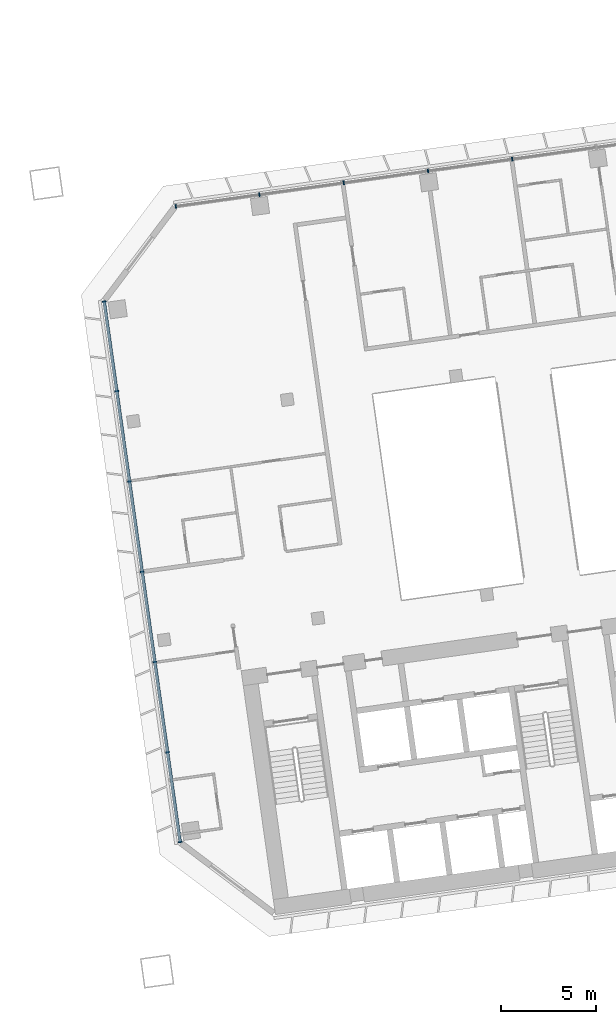
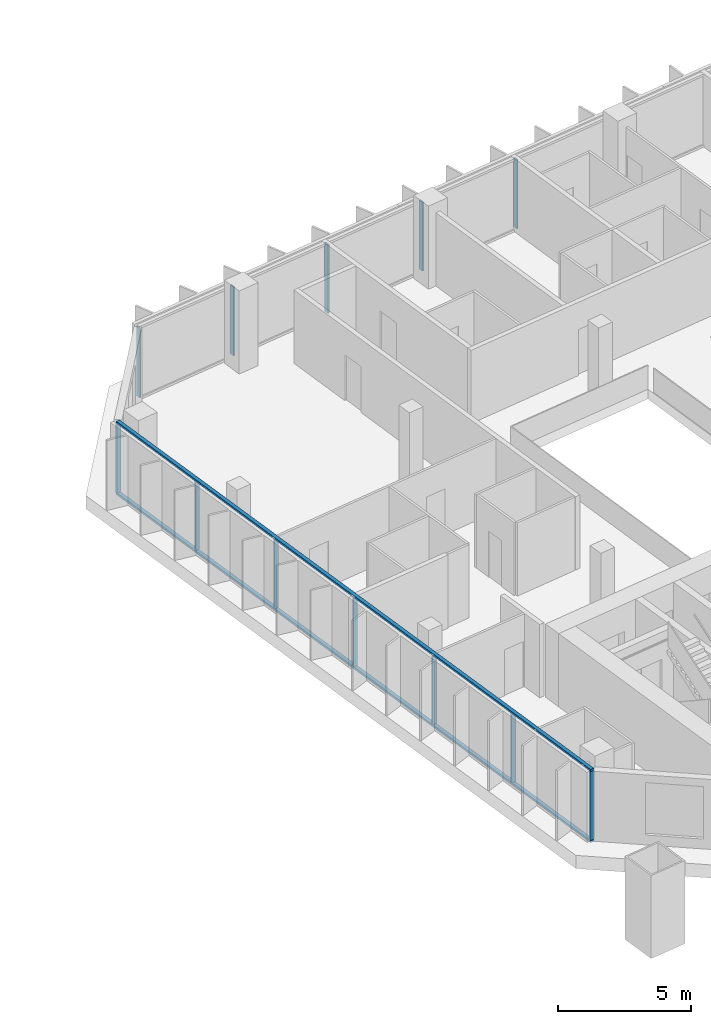
# One storey, part 7 of 26: 14 members, 2 elements without a shape of their own.
"""IFC4 building model written with IfcOpenShell, lengths in metres."""

from ifc_helpers import new_model, si_unit, direction, frame, origin, origin_2d, place, context, subcontext, project, spatial, rectangle, extrude, material, material_profile, profile_set, type_object, element, aggregate, save


model = new_model("IFC4")

# Units and contexts
model_context = context("Model", 3, precision=1e-05, world=origin(), true_north=direction((0.0, 1.0)))
body_context = subcontext(model_context, "Body", "Model", "MODEL_VIEW")
ifc_project = project(units=[si_unit("LENGTHUNIT", "METRE"), si_unit("AREAUNIT", "SQUARE_METRE"), si_unit("VOLUMEUNIT", "CUBIC_METRE"), si_unit("PLANEANGLEUNIT", "RADIAN"), si_unit("MASSUNIT", "GRAM", prefix="KILO")], contexts=[model_context])

# Site, building, storey
site_placement = place(None, origin())
site = spatial("IfcSite", under=ifc_project, at=site_placement, CompositionType="ELEMENT")
building_placement = place(site_placement, origin())
building = spatial("IfcBuilding", under=site, at=building_placement, Name="Mirante Cascada Hotel Towers", CompositionType="ELEMENT")
storey_placement = place(building_placement, frame((0.0, 0.0, 140.5)))
storey = spatial("IfcBuildingStorey", under=building, at=storey_placement, Name="L32", CompositionType="ELEMENT", Elevation=140.5)

# Curtain wall, members
ifc_material_1 = material(Name="Aluminium mullion and transom frame with clear laminated glass", Category="aluminium")
curtain_wall_type_1 = type_object("IfcCurtainWallType", Name="Ribbon curtain wall ECW1", PredefinedType="NOTDEFINED", material=ifc_material_1)
curtain_wall_1_placement = place(storey_placement, origin())
curtain_wall_1 = element("IfcCurtainWall", 1, at=curtain_wall_1_placement, inside=storey, type_object=curtain_wall_type_1, Name="Front ribbon wall T2 L32", PredefinedType="NOTDEFINED")
ifc_material_2 = material(Name="Anodised aluminium extrusion", Category="aluminium")
ifc_material_profile_1 = material_profile(ifc_material_2, rectangle(XDim=0.2, YDim=0.065, at=origin_2d()), Name="ECW1 MULLION 65x200")
ifc_profile_set_1 = profile_set([ifc_material_profile_1], Name="Anodised aluminium extrusion")
member_type_1 = type_object("IfcMemberType", Name="ECW1 mullion 65x200", PredefinedType="MULLION", material=ifc_profile_set_1)
member_1_placement = place(storey_placement, frame((49.684, 19.8017, 0.1), z_axis=(0.0, 0.0, 1.0), x_axis=(0.1391731, -0.9902681, 0.0)))
member_1 = element("IfcMember", 2, at=member_1_placement, type_object=member_type_1, Name="ECW1 mullion 11", PredefinedType="MULLION", context=body_context, shape_type="SweptSolid", body=[
    extrude(rectangle(XDim=0.2, YDim=0.065, at=origin_2d()), origin(), (0.0, 0.0, 1.0), 3.15),
])
member_2_placement = place(storey_placement, frame((45.2366, 19.1766, 0.1), z_axis=(0.0, 0.0, 1.0), x_axis=(0.1391731, -0.9902681, 0.0)))
member_2 = element("IfcMember", 3, at=member_2_placement, type_object=member_type_1, Name="ECW1 mullion 12", PredefinedType="MULLION", context=body_context, shape_type="SweptSolid", body=[
    extrude(rectangle(XDim=0.2, YDim=0.065, at=origin_2d()), origin(), (0.0, 0.0, 1.0), 3.15),
])
member_3_placement = place(storey_placement, frame((40.7892, 18.5516, 0.1), z_axis=(0.0, 0.0, 1.0), x_axis=(0.1391731, -0.9902681, 0.0)))
member_3 = element("IfcMember", 4, at=member_3_placement, type_object=member_type_1, Name="ECW1 mullion 13", PredefinedType="MULLION", context=body_context, shape_type="SweptSolid", body=[
    extrude(rectangle(XDim=0.2, YDim=0.065, at=origin_2d()), origin(), (0.0, 0.0, 1.0), 3.15),
])
member_4_placement = place(storey_placement, frame((36.3417, 17.9265, 0.1), z_axis=(0.0, 0.0, 1.0), x_axis=(0.1391731, -0.9902681, 0.0)))
member_4 = element("IfcMember", 5, at=member_4_placement, type_object=member_type_1, Name="ECW1 mullion 14", PredefinedType="MULLION", context=body_context, shape_type="SweptSolid", body=[
    extrude(rectangle(XDim=0.2, YDim=0.065, at=origin_2d()), origin(), (0.0, 0.0, 1.0), 3.15),
])
member_5_placement = place(storey_placement, frame((31.9265, 17.306, 0.1), z_axis=(0.0, 0.0, 1.0), x_axis=(0.1391731, -0.9902681, 0.0)))
member_5 = element("IfcMember", 6, at=member_5_placement, type_object=member_type_1, Name="ECW1 mullion 15", PredefinedType="MULLION", context=body_context, shape_type="SweptSolid", body=[
    extrude(rectangle(XDim=0.2, YDim=0.065, at=origin_2d()), origin(), (0.0, 0.0, 1.0), 3.15),
])
aggregate(curtain_wall_1, [member_1, member_2, member_3, member_4, member_5])

ifc_material_3 = material(Name="Aluminium mullion and transom frame with clear laminated glass", Category="aluminium")
curtain_wall_type_2 = type_object("IfcCurtainWallType", Name="End ribbon curtain wall ECW2", PredefinedType="NOTDEFINED", material=ifc_material_3)
curtain_wall_2_placement = place(storey_placement, origin())
curtain_wall_2 = element("IfcCurtainWall", 7, at=curtain_wall_2_placement, inside=storey, type_object=curtain_wall_type_2, Name="Inner end wall T2 L32", PredefinedType="NOTDEFINED")
ifc_material_4 = material(Name="Anodised aluminium extrusion", Category="aluminium")
ifc_material_profile_2 = material_profile(ifc_material_4, rectangle(XDim=0.2, YDim=0.065, at=origin_2d()), Name="ECW2 MULLION 65x200")
ifc_profile_set_2 = profile_set([ifc_material_profile_2], Name="Anodised aluminium extrusion")
member_type_2 = type_object("IfcMemberType", Name="ECW2 mullion 65x200", PredefinedType="MULLION", material=ifc_profile_set_2)
member_6_placement = place(storey_placement, frame((28.1437, 12.2861, 0.1), z_axis=(0.0, 0.0, 1.0), x_axis=(0.9902681, 0.1391731, 0.0)))
member_6 = element("IfcMember", 8, at=member_6_placement, type_object=member_type_2, Name="ECW2 mullion 1", PredefinedType="MULLION", context=body_context, shape_type="SweptSolid", body=[
    extrude(rectangle(XDim=0.2, YDim=0.065, at=origin_2d()), origin(), (0.0, 0.0, 1.0), 3.15),
])
member_7_placement = place(storey_placement, frame((28.809, 7.5524, 0.1), z_axis=(0.0, 0.0, 1.0), x_axis=(0.9902681, 0.1391731, 0.0)))
member_7 = element("IfcMember", 9, at=member_7_placement, type_object=member_type_2, Name="ECW2 mullion 2", PredefinedType="MULLION", context=body_context, shape_type="SweptSolid", body=[
    extrude(rectangle(XDim=0.2, YDim=0.065, at=origin_2d()), origin(), (0.0, 0.0, 1.0), 3.15),
])
member_8_placement = place(storey_placement, frame((29.4788, 2.7867, 0.1), z_axis=(0.0, 0.0, 1.0), x_axis=(0.9902681, 0.1391731, 0.0)))
member_8 = element("IfcMember", 10, at=member_8_placement, type_object=member_type_2, Name="ECW2 mullion 3", PredefinedType="MULLION", context=body_context, shape_type="SweptSolid", body=[
    extrude(rectangle(XDim=0.2, YDim=0.065, at=origin_2d()), origin(), (0.0, 0.0, 1.0), 3.15),
])
member_9_placement = place(storey_placement, frame((30.1485, -1.9791, 0.1), z_axis=(0.0, 0.0, 1.0), x_axis=(0.9902681, 0.1391731, 0.0)))
member_9 = element("IfcMember", 11, at=member_9_placement, type_object=member_type_2, Name="ECW2 mullion 4", PredefinedType="MULLION", context=body_context, shape_type="SweptSolid", body=[
    extrude(rectangle(XDim=0.2, YDim=0.065, at=origin_2d()), origin(), (0.0, 0.0, 1.0), 3.15),
])
member_10_placement = place(storey_placement, frame((30.8183, -6.7449, 0.1), z_axis=(0.0, 0.0, 1.0), x_axis=(0.9902681, 0.1391731, 0.0)))
member_10 = element("IfcMember", 12, at=member_10_placement, type_object=member_type_2, Name="ECW2 mullion 5", PredefinedType="MULLION", context=body_context, shape_type="SweptSolid", body=[
    extrude(rectangle(XDim=0.2, YDim=0.065, at=origin_2d()), origin(), (0.0, 0.0, 1.0), 3.15),
])
member_11_placement = place(storey_placement, frame((31.4881, -11.5107, 0.1), z_axis=(0.0, 0.0, 1.0), x_axis=(0.9902681, 0.1391731, 0.0)))
member_11 = element("IfcMember", 13, at=member_11_placement, type_object=member_type_2, Name="ECW2 mullion 6", PredefinedType="MULLION", context=body_context, shape_type="SweptSolid", body=[
    extrude(rectangle(XDim=0.2, YDim=0.065, at=origin_2d()), origin(), (0.0, 0.0, 1.0), 3.15),
])
member_12_placement = place(storey_placement, frame((32.1534, -16.2443, 0.1), z_axis=(0.0, 0.0, 1.0), x_axis=(0.9902681, 0.1391731, 0.0)))
member_12 = element("IfcMember", 14, at=member_12_placement, type_object=member_type_2, Name="ECW2 mullion 7", PredefinedType="MULLION", context=body_context, shape_type="SweptSolid", body=[
    extrude(rectangle(XDim=0.2, YDim=0.065, at=origin_2d()), origin(), (0.0, 0.0, 1.0), 3.15),
])
ifc_material_5 = material(Name="Anodised aluminium extrusion", Category="aluminium")
ifc_material_profile_3 = material_profile(ifc_material_5, rectangle(XDim=0.16, YDim=0.1, at=origin_2d()), Name="ECW2 TRANSOM 100x160")
ifc_profile_set_3 = profile_set([ifc_material_profile_3], Name="Anodised aluminium extrusion")
member_type_3 = type_object("IfcMemberType", Name="ECW2 transom 100x160", PredefinedType="USERDEFINED", material=ifc_profile_set_3)
member_13_placement = place(storey_placement, frame((28.1392, 12.3182, 0.05), z_axis=(0.1391723, -0.9902682, 0.0), x_axis=(0.9902682, 0.1391723, 0.0)))
member_13 = element("IfcMember", 15, at=member_13_placement, type_object=member_type_3, Name="ECW2 sill transom", ObjectType="TRANSOM", PredefinedType="USERDEFINED", context=body_context, shape_type="SweptSolid", body=[
    extrude(rectangle(XDim=0.16, YDim=0.1, at=origin_2d()), origin(), (0.0, 0.0, 1.0), 28.8757),
])
member_14_placement = place(storey_placement, frame((28.1392, 12.3182, 3.3), z_axis=(0.1391723, -0.9902682, 0.0), x_axis=(0.9902682, 0.1391723, 0.0)))
member_14 = element("IfcMember", 16, at=member_14_placement, type_object=member_type_3, Name="ECW2 head transom", ObjectType="TRANSOM", PredefinedType="USERDEFINED", context=body_context, shape_type="SweptSolid", body=[
    extrude(rectangle(XDim=0.16, YDim=0.1, at=origin_2d()), origin(), (0.0, 0.0, 1.0), 28.8757),
])
aggregate(curtain_wall_2, [member_13, member_14, member_6, member_7, member_8, member_9, member_10, member_11, member_12])

save(model, "model.ifc")
